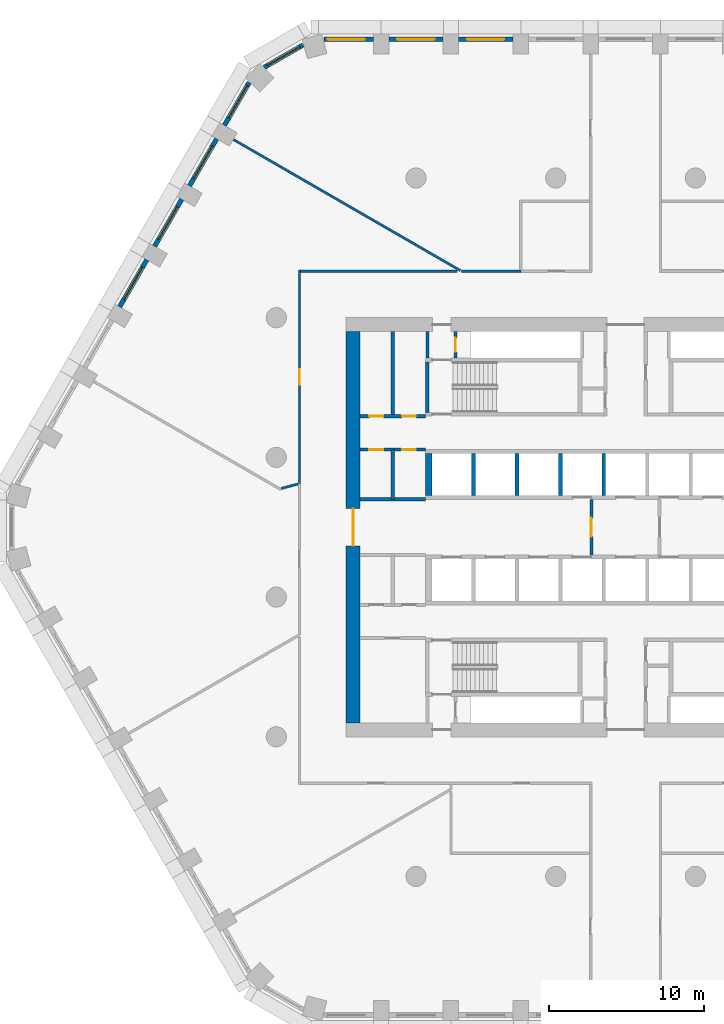
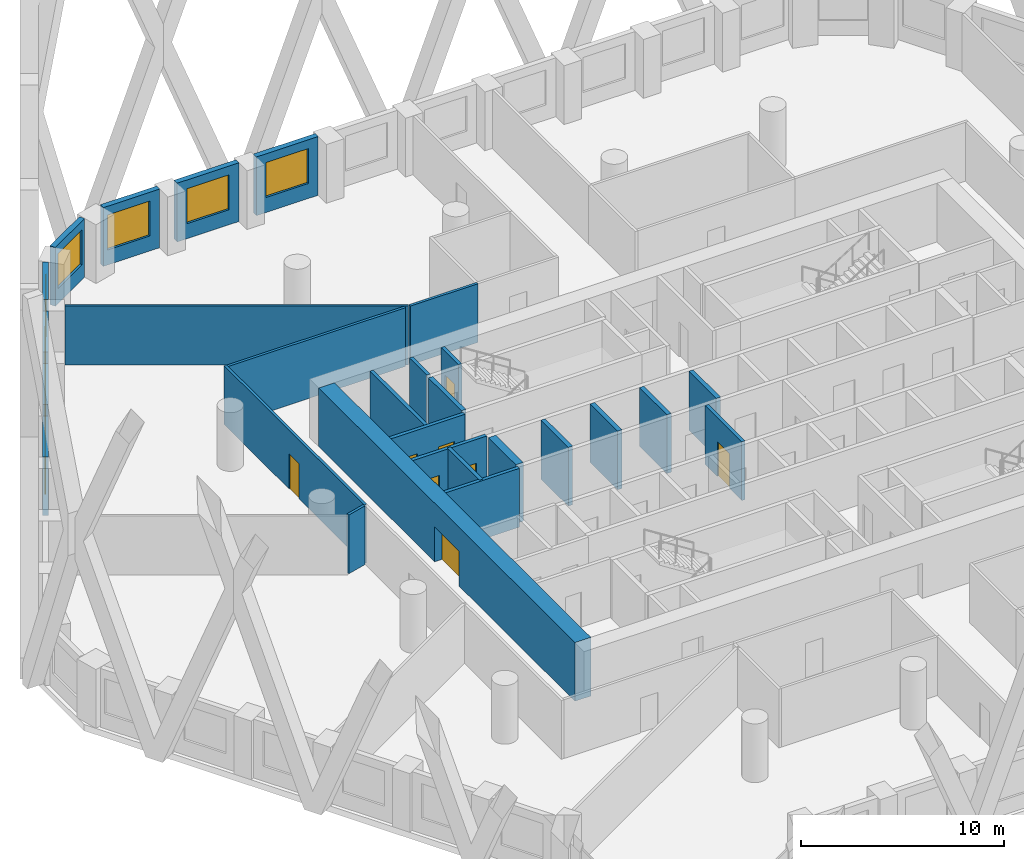
# One storey, part 5 of 18: 28 walls, 8 doors, 8 windows, 16 openings.
"""IFC4 building model written with IfcOpenShell, lengths in metres."""

from ifc_helpers import new_model, si_unit, direction, frame, frame_2d, origin, place, context, subcontext, project, spatial, polyline, rectangle, outline, extrude, material, layer, layer_set, type_object, element, fill, save


model = new_model("IFC4")

# Units and contexts
model_context = context("Model", 3, precision=1e-05, world=origin(), true_north=direction((0.0, 1.0)))
body_context = subcontext(model_context, "Body", "Model", "MODEL_VIEW")
ifc_project = project(units=[si_unit("LENGTHUNIT", "METRE"), si_unit("AREAUNIT", "SQUARE_METRE"), si_unit("VOLUMEUNIT", "CUBIC_METRE"), si_unit("PLANEANGLEUNIT", "RADIAN"), si_unit("MASSUNIT", "GRAM", prefix="KILO")], contexts=[model_context])

# Site, building, storey
site_placement = place(None, origin())
site = spatial("IfcSite", under=ifc_project, at=site_placement, CompositionType="ELEMENT")
building_placement = place(site_placement, origin())
building = spatial("IfcBuilding", under=site, at=building_placement, Name="Dhurran Vertical Campus", CompositionType="ELEMENT")
storey_placement = place(building_placement, frame((0.0, 0.0, 81.300048828125)))
storey = spatial("IfcBuildingStorey", under=building, at=storey_placement, Name="L19", CompositionType="ELEMENT", Elevation=81.300048828125)

# Wall, opening, window
ifc_material_1 = material(Name="Precast concrete C50/60", Category="concrete")
ifc_layer_1 = layer(ifc_material_1, 0.300048828125)
ifc_layer_set_1 = layer_set([ifc_layer_1], Name="Precast concrete C50/60")
wall_type_1 = type_object("IfcWallType", Name="Precast spandrel wall 300", PredefinedType="SOLIDWALL", material=ifc_layer_set_1)
wall_1_placement = place(storey_placement, frame((-7.25048828125, 31.4296875, 0.0), z_axis=(0.0, 0.0, 1.0), x_axis=(-1.0, 0.0, 0.0)))
wall_1 = element("IfcWall", 1, at=wall_1_placement, inside=storey, type_object=wall_type_1, Name="EW1 L19.32", PredefinedType="SOLIDWALL", context=body_context, shape_type="SweptSolid", body=[
    extrude(rectangle(XDim=3.4990234375, YDim=0.300048828125, at=frame_2d((1.74951171875, 0.0))), origin(), (0.0, 0.0, 1.0), 3.52490234375),
])
opening_1_placement = place(wall_1_placement, frame((0.549560546875, 0.0, 0.89990234375)))
opening_1 = element("IfcOpeningElement", 2, at=opening_1_placement, cuts=wall_1, Name="Opening WT1", PredefinedType="OPENING", context=body_context, shape_type="SweptSolid", body=[
    extrude(rectangle(XDim=2.39990234375, YDim=2.10009765625, at=frame_2d((1.199951171875, 1.050048828125))), frame((0.0, 0.159912109375, 0.0), z_axis=(0.0, -1.0, 0.0), x_axis=(1.0, 0.0, 0.0)), (0.0, 0.0, 1.0), 0.320068359375),
])
ifc_material_2 = material(Name="Aluminium frame with solar-control glass", Category="aluminium")
window_type = type_object("IfcWindowType", Name="Punched window 2400 x 2100", PartitioningType="SINGLE_PANEL", PredefinedType="WINDOW", material=ifc_material_2)
window_1_placement = place(opening_1_placement, origin())
window_1 = element("IfcWindow", 3, at=window_1_placement, inside=storey, type_object=window_type, Name="WT1 L19.32", OverallHeight=2.10009765625, OverallWidth=2.39990234375, PartitioningType="SINGLE_PANEL", PredefinedType="WINDOW", context=body_context, shape_type="SweptSolid", body=[
    extrude(rectangle(XDim=2.39990234375, YDim=2.10009765625, at=frame_2d((1.199951171875, 1.050048828125))), frame((0.0, 0.030029296875, 0.0), z_axis=(0.0, -1.0, 0.0), x_axis=(1.0, 0.0, 0.0)), (0.0, 0.0, 1.0), 0.06005859375),
])
fill(opening_1, window_1)

wall_2_placement = place(storey_placement, frame((-11.75048828125, 31.4296875, 0.0), z_axis=(0.0, 0.0, 1.0), x_axis=(-1.0, 0.0, 0.0)))
wall_2 = element("IfcWall", 4, at=wall_2_placement, inside=storey, type_object=wall_type_1, Name="EW1 L19.33", PredefinedType="SOLIDWALL", context=body_context, shape_type="SweptSolid", body=[
    extrude(rectangle(XDim=3.4990234375, YDim=0.300048828125, at=frame_2d((1.74951171875, 0.0))), origin(), (0.0, 0.0, 1.0), 3.52490234375),
])
opening_2_placement = place(wall_2_placement, frame((0.549560546875, 0.0, 0.89990234375)))
opening_2 = element("IfcOpeningElement", 5, at=opening_2_placement, cuts=wall_2, Name="Opening WT1", PredefinedType="OPENING", context=body_context, shape_type="SweptSolid", body=[
    extrude(rectangle(XDim=2.39990234375, YDim=2.10009765625, at=frame_2d((1.199951171875, 1.050048828125))), frame((0.0, 0.159912109375, 0.0), z_axis=(0.0, -1.0, 0.0), x_axis=(1.0, 0.0, 0.0)), (0.0, 0.0, 1.0), 0.320068359375),
])
window_2_placement = place(opening_2_placement, origin())
window_2 = element("IfcWindow", 6, at=window_2_placement, inside=storey, type_object=window_type, Name="WT1 L19.33", OverallHeight=2.10009765625, OverallWidth=2.39990234375, PartitioningType="SINGLE_PANEL", PredefinedType="WINDOW", context=body_context, shape_type="SweptSolid", body=[
    extrude(rectangle(XDim=2.39990234375, YDim=2.10009765625, at=frame_2d((1.199951171875, 1.050048828125))), frame((0.0, 0.030029296875, 0.0), z_axis=(0.0, -1.0, 0.0), x_axis=(1.0, 0.0, 0.0)), (0.0, 0.0, 1.0), 0.06005859375),
])
fill(opening_2, window_2)

wall_3_placement = place(storey_placement, frame((-16.25048828125, 31.4296875, 0.0), z_axis=(0.0, 0.0, 1.0), x_axis=(-1.0, 0.0, 0.0)))
wall_3 = element("IfcWall", 7, at=wall_3_placement, inside=storey, type_object=wall_type_1, Name="EW1 L19.34", PredefinedType="SOLIDWALL", context=body_context, shape_type="SweptSolid", body=[
    extrude(rectangle(XDim=3.1923828125, YDim=0.300048828125, at=frame_2d((1.59619140625, 0.0))), origin(), (0.0, 0.0, 1.0), 3.52490234375),
])
opening_3_placement = place(wall_3_placement, frame((0.549560546875, 0.0, 0.89990234375)))
opening_3 = element("IfcOpeningElement", 8, at=opening_3_placement, cuts=wall_3, Name="Opening WT1", PredefinedType="OPENING", context=body_context, shape_type="SweptSolid", body=[
    extrude(rectangle(XDim=2.39990234375, YDim=2.10009765625, at=frame_2d((1.199951171875, 1.050048828125))), frame((0.0, 0.159912109375, 0.0), z_axis=(0.0, -1.0, 0.0), x_axis=(1.0, 0.0, 0.0)), (0.0, 0.0, 1.0), 0.320068359375),
])
window_3_placement = place(opening_3_placement, origin())
window_3 = element("IfcWindow", 9, at=window_3_placement, inside=storey, type_object=window_type, Name="WT1 L19.34", OverallHeight=2.10009765625, OverallWidth=2.39990234375, PartitioningType="SINGLE_PANEL", PredefinedType="WINDOW", context=body_context, shape_type="SweptSolid", body=[
    extrude(rectangle(XDim=2.39990234375, YDim=2.10009765625, at=frame_2d((1.199951171875, 1.050048828125))), frame((0.0, 0.030029296875, 0.0), z_axis=(0.0, -1.0, 0.0), x_axis=(1.0, 0.0, 0.0)), (0.0, 0.0, 1.0), 0.06005859375),
])
fill(opening_3, window_3)

wall_4_placement = place(storey_placement, frame((-20.774169921875, 31.072998046875, 0.0), z_axis=(0.0, 0.0, 1.0), x_axis=(-0.866053149362, -0.49995194017, 0.0)))
wall_4 = element("IfcWall", 10, at=wall_4_placement, inside=storey, type_object=wall_type_1, Name="EW1 L19.35", PredefinedType="SOLIDWALL", context=body_context, shape_type="SweptSolid", body=[
    extrude(rectangle(XDim=2.885498046875, YDim=0.300048828125, at=frame_2d((1.44287109375, 0.0))), origin(), (0.0, 0.0, 1.0), 3.52490234375),
])
opening_4_placement = place(wall_4_placement, frame((0.242919921875, 0.0, 0.89990234375)))
opening_4 = element("IfcOpeningElement", 11, at=opening_4_placement, cuts=wall_4, Name="Opening WT1", PredefinedType="OPENING", context=body_context, shape_type="SweptSolid", body=[
    extrude(rectangle(XDim=2.39990234375, YDim=2.10009765625, at=frame_2d((1.199951171875, 1.050048828125))), frame((0.0, 0.159912109375, 0.0), z_axis=(0.0, -1.0, 0.0), x_axis=(1.0, 0.0, 0.0)), (0.0, 0.0, 1.0), 0.320068359375),
])
window_4_placement = place(opening_4_placement, origin())
window_4 = element("IfcWindow", 12, at=window_4_placement, inside=storey, type_object=window_type, Name="WT1 L19.35", OverallHeight=2.10009765625, OverallWidth=2.39990234375, PartitioningType="SINGLE_PANEL", PredefinedType="WINDOW", context=body_context, shape_type="SweptSolid", body=[
    extrude(rectangle(XDim=2.39990234375, YDim=2.10009765625, at=frame_2d((1.199951171875, 1.050048828125))), frame((0.0, 0.030029296875, 0.0), z_axis=(0.0, -1.0, 0.0), x_axis=(1.0, 0.0, 0.0)), (0.0, 0.0, 1.0), 0.06005859375),
])
fill(opening_4, window_4)

wall_5_placement = place(storey_placement, frame((-24.24755859375, 28.65576171875, 0.0), z_axis=(0.0, 0.0, 1.0), x_axis=(-0.500004907028, -0.866022570692, 0.0)))
wall_5 = element("IfcWall", 13, at=wall_5_placement, inside=storey, type_object=wall_type_1, Name="EW1 L19.36", PredefinedType="SOLIDWALL", context=body_context, shape_type="SweptSolid", body=[
    extrude(rectangle(XDim=3.1923828125, YDim=0.300048828125, at=frame_2d((1.59619140625, 0.0))), origin(), (0.0, 0.0, 1.0), 3.52490234375),
])
opening_5_placement = place(wall_5_placement, frame((0.242919921875, 0.0, 0.89990234375)))
opening_5 = element("IfcOpeningElement", 14, at=opening_5_placement, cuts=wall_5, Name="Opening WT1", PredefinedType="OPENING", context=body_context, shape_type="SweptSolid", body=[
    extrude(rectangle(XDim=2.39990234375, YDim=2.10009765625, at=frame_2d((1.199951171875, 1.050048828125))), frame((0.0, 0.159912109375, 0.0), z_axis=(0.0, -1.0, 0.0), x_axis=(1.0, 0.0, 0.0)), (0.0, 0.0, 1.0), 0.320068359375),
])
window_5_placement = place(opening_5_placement, origin())
window_5 = element("IfcWindow", 15, at=window_5_placement, inside=storey, type_object=window_type, Name="WT1 L19.36", OverallHeight=2.10009765625, OverallWidth=2.39990234375, PartitioningType="SINGLE_PANEL", PredefinedType="WINDOW", context=body_context, shape_type="SweptSolid", body=[
    extrude(rectangle(XDim=2.39990234375, YDim=2.10009765625, at=frame_2d((1.199951171875, 1.050048828125))), frame((0.0, 0.030029296875, 0.0), z_axis=(0.0, -1.0, 0.0), x_axis=(1.0, 0.0, 0.0)), (0.0, 0.0, 1.0), 0.06005859375),
])
fill(opening_5, window_5)

wall_6_placement = place(storey_placement, frame((-26.34423828125, 25.024169921875, 0.0), z_axis=(0.0, 0.0, 1.0), x_axis=(-0.499996256241, -0.866027565234, 0.0)))
wall_6 = element("IfcWall", 16, at=wall_6_placement, inside=storey, type_object=wall_type_1, Name="EW1 L19.37", PredefinedType="SOLIDWALL", context=body_context, shape_type="SweptSolid", body=[
    extrude(rectangle(XDim=3.4990234375, YDim=0.300048828125, at=frame_2d((1.74951171875, 0.0))), origin(), (0.0, 0.0, 1.0), 3.52490234375),
])
opening_6_placement = place(wall_6_placement, frame((0.549560546875, 0.0, 0.89990234375)))
opening_6 = element("IfcOpeningElement", 17, at=opening_6_placement, cuts=wall_6, Name="Opening WT1", PredefinedType="OPENING", context=body_context, shape_type="SweptSolid", body=[
    extrude(rectangle(XDim=2.39990234375, YDim=2.10009765625, at=frame_2d((1.199951171875, 1.050048828125))), frame((0.0, 0.159912109375, 0.0), z_axis=(0.0, -1.0, 0.0), x_axis=(1.0, 0.0, 0.0)), (0.0, 0.0, 1.0), 0.320068359375),
])
window_6_placement = place(opening_6_placement, origin())
window_6 = element("IfcWindow", 18, at=window_6_placement, inside=storey, type_object=window_type, Name="WT1 L19.37", OverallHeight=2.10009765625, OverallWidth=2.39990234375, PartitioningType="SINGLE_PANEL", PredefinedType="WINDOW", context=body_context, shape_type="SweptSolid", body=[
    extrude(rectangle(XDim=2.39990234375, YDim=2.10009765625, at=frame_2d((1.199951171875, 1.050048828125))), frame((0.0, 0.030029296875, 0.0), z_axis=(0.0, -1.0, 0.0), x_axis=(1.0, 0.0, 0.0)), (0.0, 0.0, 1.0), 0.06005859375),
])
fill(opening_6, window_6)

wall_7_placement = place(storey_placement, frame((-28.59423828125, 21.127197265625, 0.0), z_axis=(0.0, 0.0, 1.0), x_axis=(-0.499996256241, -0.866027565234, 0.0)))
wall_7 = element("IfcWall", 19, at=wall_7_placement, inside=storey, type_object=wall_type_1, Name="EW1 L19.38", PredefinedType="SOLIDWALL", context=body_context, shape_type="SweptSolid", body=[
    extrude(rectangle(XDim=3.4990234375, YDim=0.300048828125, at=frame_2d((1.74951171875, 0.0))), origin(), (0.0, 0.0, 1.0), 3.52490234375),
])
opening_7_placement = place(wall_7_placement, frame((0.549560546875, 0.0, 0.89990234375)))
opening_7 = element("IfcOpeningElement", 20, at=opening_7_placement, cuts=wall_7, Name="Opening WT1", PredefinedType="OPENING", context=body_context, shape_type="SweptSolid", body=[
    extrude(rectangle(XDim=2.39990234375, YDim=2.10009765625, at=frame_2d((1.199951171875, 1.050048828125))), frame((0.0, 0.159912109375, 0.0), z_axis=(0.0, -1.0, 0.0), x_axis=(1.0, 0.0, 0.0)), (0.0, 0.0, 1.0), 0.320068359375),
])
window_7_placement = place(opening_7_placement, origin())
window_7 = element("IfcWindow", 21, at=window_7_placement, inside=storey, type_object=window_type, Name="WT1 L19.38", OverallHeight=2.10009765625, OverallWidth=2.39990234375, PartitioningType="SINGLE_PANEL", PredefinedType="WINDOW", context=body_context, shape_type="SweptSolid", body=[
    extrude(rectangle(XDim=2.39990234375, YDim=2.10009765625, at=frame_2d((1.199951171875, 1.050048828125))), frame((0.0, 0.030029296875, 0.0), z_axis=(0.0, -1.0, 0.0), x_axis=(1.0, 0.0, 0.0)), (0.0, 0.0, 1.0), 0.06005859375),
])
fill(opening_7, window_7)

wall_8_placement = place(storey_placement, frame((-30.84423828125, 17.22998046875, 0.0), z_axis=(0.0, 0.0, 1.0), x_axis=(-0.499996256241, -0.866027565234, 0.0)))
wall_8 = element("IfcWall", 22, at=wall_8_placement, inside=storey, type_object=wall_type_1, Name="EW1 L19.39", PredefinedType="SOLIDWALL", context=body_context, shape_type="SweptSolid", body=[
    extrude(rectangle(XDim=3.4990234375, YDim=0.300048828125, at=frame_2d((1.74951171875, 0.0))), origin(), (0.0, 0.0, 1.0), 3.52490234375),
])
opening_8_placement = place(wall_8_placement, frame((0.549560546875, 0.0, 0.89990234375)))
opening_8 = element("IfcOpeningElement", 23, at=opening_8_placement, cuts=wall_8, Name="Opening WT1", PredefinedType="OPENING", context=body_context, shape_type="SweptSolid", body=[
    extrude(rectangle(XDim=2.39990234375, YDim=2.10009765625, at=frame_2d((1.199951171875, 1.050048828125))), frame((0.0, 0.159912109375, 0.0), z_axis=(0.0, -1.0, 0.0), x_axis=(1.0, 0.0, 0.0)), (0.0, 0.0, 1.0), 0.320068359375),
])
window_8_placement = place(opening_8_placement, origin())
window_8 = element("IfcWindow", 24, at=window_8_placement, inside=storey, type_object=window_type, Name="WT1 L19.39", OverallHeight=2.10009765625, OverallWidth=2.39990234375, PartitioningType="SINGLE_PANEL", PredefinedType="WINDOW", context=body_context, shape_type="SweptSolid", body=[
    extrude(rectangle(XDim=2.39990234375, YDim=2.10009765625, at=frame_2d((1.199951171875, 1.050048828125))), frame((0.0, 0.030029296875, 0.0), z_axis=(0.0, -1.0, 0.0), x_axis=(1.0, 0.0, 0.0)), (0.0, 0.0, 1.0), 0.06005859375),
])
fill(opening_8, window_8)

# Wall, opening, door
ifc_material_3 = material(Name="Concrete C60/75", Category="concrete")
ifc_layer_2 = layer(ifc_material_3, 0.89990234375)
ifc_layer_set_2 = layer_set([ifc_layer_2], Name="Concrete C60/75")
wall_type_2 = type_object("IfcWallType", Name="co-CORE-WALL-C0-900", PredefinedType="SHEAR", material=ifc_layer_set_2)
wall_9_placement = place(storey_placement, frame((-17.550048828125, -12.60009765625, 0.0), z_axis=(0.0, 0.0, 1.0), x_axis=(0.0, 1.0, 0.0)))
wall_9 = element("IfcWall", 25, at=wall_9_placement, inside=storey, type_object=wall_type_2, Name="Core wall W L19", PredefinedType="SHEAR", context=body_context, shape_type="SweptSolid", body=[
    extrude(rectangle(XDim=25.2001953125, YDim=0.89990234375, at=frame_2d((12.60009765625, 0.0))), origin(), (0.0, 0.0, 1.0), 3.52490234375),
])
opening_9_placement = place(wall_9_placement, frame((11.39990234375, 0.0, 0.0)))
opening_9 = element("IfcOpeningElement", 26, at=opening_9_placement, cuts=wall_9, Name="Opening CL1", PredefinedType="OPENING", context=body_context, shape_type="SweptSolid", body=[
    extrude(rectangle(XDim=2.39990234375, YDim=2.10009765625, at=frame_2d((1.199951171875, 1.050048828125))), frame((0.0, 0.4599609375, 0.0), z_axis=(0.0, -1.0, 0.0), x_axis=(1.0, 0.0, 0.0)), (0.0, 0.0, 1.0), 0.919921875),
])
ifc_material_4 = material(Name="Fire-rated glazed door set")
door_type_1 = type_object("IfcDoorType", Name="co-D-LOBBY 2400x2100", OperationType="DOUBLE_DOOR_DOUBLE_SWING", PredefinedType="DOOR", material=ifc_material_4)
door_1_placement = place(opening_9_placement, origin())
door_1 = element("IfcDoor", 27, at=door_1_placement, inside=storey, type_object=door_type_1, Name="Lift lobby door W L19", OperationType="DOUBLE_DOOR_DOUBLE_SWING", OverallHeight=2.10009765625, OverallWidth=2.39990234375, PredefinedType="DOOR", context=body_context, shape_type="SweptSolid", body=[
    extrude(rectangle(XDim=2.39990234375, YDim=2.10009765625, at=frame_2d((1.199951171875, 1.050048828125))), frame((0.0, 0.02490234375, 0.0), z_axis=(0.0, -1.0, 0.0), x_axis=(1.0, 0.0, 0.0)), (0.0, 0.0, 1.0), 0.050048828125),
])
fill(opening_9, door_1)

ifc_material_5 = material(Name="Fire-rated masonry blockwork", Category="masonry")
ifc_layer_3 = layer(ifc_material_5, 0.199951171875)
ifc_layer_set_3 = layer_set([ifc_layer_3], Name="Fire-rated masonry blockwork")
wall_type_3 = type_object("IfcWallType", Name="co-FIRE-PARTITION-200", PredefinedType="PARTITIONING", material=ifc_layer_set_3)
wall_10_placement = place(storey_placement, frame((-2.199951171875, -1.800048828125, 0.0), z_axis=(0.0, 0.0, 1.0), x_axis=(0.0, 1.0, 0.0)))
wall_10 = element("IfcWall", 28, at=wall_10_placement, inside=storey, type_object=wall_type_3, Name="Firefighting lobby wall W L19", PredefinedType="PARTITIONING", context=body_context, shape_type="SweptSolid", body=[
    extrude(rectangle(XDim=3.60009765625, YDim=0.199951171875, at=frame_2d((1.800048828125, 0.0))), origin(), (0.0, 0.0, 1.0), 3.52490234375),
])
opening_10_placement = place(wall_10_placement, frame((1.199951171875, 0.0, 0.0)))
opening_10 = element("IfcOpeningElement", 29, at=opening_10_placement, cuts=wall_10, Name="Opening FL1", PredefinedType="OPENING", context=body_context, shape_type="SweptSolid", body=[
    extrude(rectangle(XDim=1.199951171875, YDim=2.10009765625, at=frame_2d((0.60009765625, 1.050048828125))), frame((0.0, 0.10986328125, 0.0), z_axis=(0.0, -1.0, 0.0), x_axis=(1.0, 0.0, 0.0)), (0.0, 0.0, 1.0), 0.219970703125),
])
ifc_material_6 = material(Name="Fire-rated steel door set", Category="steel")
door_type_2 = type_object("IfcDoorType", Name="co-D-FFLOBBY 1200x2100", OperationType="SINGLE_SWING_LEFT", PredefinedType="DOOR", material=ifc_material_6)
door_2_placement = place(opening_10_placement, origin())
door_2 = element("IfcDoor", 30, at=door_2_placement, inside=storey, type_object=door_type_2, Name="Firefighting lobby door W L19", OperationType="SINGLE_SWING_LEFT", OverallHeight=2.10009765625, OverallWidth=1.199951171875, PredefinedType="DOOR", context=body_context, shape_type="SweptSolid", body=[
    extrude(rectangle(XDim=1.199951171875, YDim=2.10009765625, at=frame_2d((0.60009765625, 1.050048828125))), frame((0.0, 0.02490234375, 0.0), z_axis=(0.0, -1.0, 0.0), x_axis=(1.0, 0.0, 0.0)), (0.0, 0.0, 1.0), 0.050048828125),
])
fill(opening_10, door_2)

# Wall
wall_11_placement = place(storey_placement, frame((-12.75, 10.89990234375, 0.0), z_axis=(0.0, 0.0, 1.0), x_axis=(0.0, 1.0, 0.0)))
element("IfcWall", 31, at=wall_11_placement, inside=storey, type_object=wall_type_3, Name="Core partition pass-ST1-o L19", PredefinedType="PARTITIONING", context=body_context, shape_type="SweptSolid", body=[
    extrude(rectangle(XDim=1.7001953125, YDim=0.199951171875, at=frame_2d((0.85009765625, 0.0))), origin(), (0.0, 0.0, 1.0), 3.52490234375),
])

# Wall, opening, door
wall_12_placement = place(storey_placement, frame((-10.949951171875, 10.89990234375, 0.0), z_axis=(0.0, 0.0, 1.0), x_axis=(0.0, 1.0, 0.0)))
wall_12 = element("IfcWall", 32, at=wall_12_placement, inside=storey, type_object=wall_type_3, Name="Core partition pass-ST1-i L19", PredefinedType="PARTITIONING", context=body_context, shape_type="SweptSolid", body=[
    extrude(rectangle(XDim=1.7001953125, YDim=0.199951171875, at=frame_2d((0.85009765625, 0.0))), origin(), (0.0, 0.0, 1.0), 3.52490234375),
])
opening_11_placement = place(wall_12_placement, frame((0.39990234375, 0.0, 0.0)))
opening_11 = element("IfcOpeningElement", 33, at=opening_11_placement, cuts=wall_12, Name="Opening T05-C8", PredefinedType="OPENING", context=body_context, shape_type="SweptSolid", body=[
    extrude(rectangle(XDim=0.89990234375, YDim=2.10009765625, at=frame_2d((0.449951171875, 1.050048828125))), frame((0.0, 0.10986328125, 0.0), z_axis=(0.0, -1.0, 0.0), x_axis=(1.0, 0.0, 0.0)), (0.0, 0.0, 1.0), 0.219970703125),
])
ifc_material_7 = material(Name="Fire-rated timber door set", Category="wood")
door_type_3 = type_object("IfcDoorType", Name="co-D-ROOM 900x2100", OperationType="SINGLE_SWING_LEFT", PredefinedType="DOOR", material=ifc_material_7)
door_3_placement = place(opening_11_placement, origin())
door_3 = element("IfcDoor", 34, at=door_3_placement, inside=storey, type_object=door_type_3, Name="Riser room door L19", OperationType="SINGLE_SWING_LEFT", OverallHeight=2.10009765625, OverallWidth=0.89990234375, PredefinedType="DOOR", context=body_context, shape_type="SweptSolid", body=[
    extrude(rectangle(XDim=0.89990234375, YDim=2.10009765625, at=frame_2d((0.449951171875, 1.050048828125))), frame((0.0, 0.02490234375, 0.0), z_axis=(0.0, -1.0, 0.0), x_axis=(1.0, 0.0, 0.0)), (0.0, 0.0, 1.0), 0.050048828125),
])
fill(opening_11, door_3)

# Wall
wall_13_placement = place(storey_placement, frame((-15.0, 7.14990234375, 0.0), z_axis=(0.0, 0.0, 1.0), x_axis=(0.0, 1.0, 0.0)))
element("IfcWall", 35, at=wall_13_placement, inside=storey, type_object=wall_type_3, Name="Core partition en-NW-cut0 L19", PredefinedType="PARTITIONING", context=body_context, shape_type="SweptSolid", body=[
    extrude(rectangle(XDim=5.4501953125, YDim=0.199951171875, at=frame_2d((2.72509765625, 0.0))), origin(), (0.0, 0.0, 1.0), 3.52490234375),
])

# Wall, openings, doors
wall_14_placement = place(storey_placement, frame((-17.10009765625, 7.14990234375, 0.0), z_axis=(0.0, 0.0, 1.0), x_axis=(1.0, 0.0, 0.0)))
wall_14 = element("IfcWall", 36, at=wall_14_placement, inside=storey, type_object=wall_type_3, Name="Core partition en-NW-w L19", PredefinedType="PARTITIONING", context=body_context, shape_type="SweptSolid", body=[
    extrude(rectangle(XDim=4.2001953125, YDim=0.199951171875, at=frame_2d((2.10009765625, 0.0))), origin(), (0.0, 0.0, 1.0), 3.52490234375),
])
opening_12_placement = place(wall_14_placement, frame((0.60009765625, 0.0, 0.0)))
opening_12 = element("IfcOpeningElement", 37, at=opening_12_placement, cuts=wall_14, Name="Opening T05-C12", PredefinedType="OPENING", context=body_context, shape_type="SweptSolid", body=[
    extrude(rectangle(XDim=0.89990234375, YDim=2.10009765625, at=frame_2d((0.449951171875, 1.050048828125))), frame((0.0, 0.10986328125, 0.0), z_axis=(0.0, -1.0, 0.0), x_axis=(1.0, 0.0, 0.0)), (0.0, 0.0, 1.0), 0.219970703125),
])
opening_13_placement = place(wall_14_placement, frame((2.699951171875, 0.0, 0.0)))
opening_13 = element("IfcOpeningElement", 38, at=opening_13_placement, cuts=wall_14, Name="Opening T05-C13", PredefinedType="OPENING", context=body_context, shape_type="SweptSolid", body=[
    extrude(rectangle(XDim=0.89990234375, YDim=2.10009765625, at=frame_2d((0.449951171875, 1.050048828125))), frame((0.0, 0.10986328125, 0.0), z_axis=(0.0, -1.0, 0.0), x_axis=(1.0, 0.0, 0.0)), (0.0, 0.0, 1.0), 0.219970703125),
])
door_4_placement = place(opening_12_placement, origin())
door_4 = element("IfcDoor", 39, at=door_4_placement, inside=storey, type_object=door_type_3, Name="Electrical riser door L19", OperationType="SINGLE_SWING_LEFT", OverallHeight=2.10009765625, OverallWidth=0.89990234375, PredefinedType="DOOR", context=body_context, shape_type="SweptSolid", body=[
    extrude(rectangle(XDim=0.89990234375, YDim=2.10009765625, at=frame_2d((0.449951171875, 1.050048828125))), frame((0.0, 0.02490234375, 0.0), z_axis=(0.0, -1.0, 0.0), x_axis=(1.0, 0.0, 0.0)), (0.0, 0.0, 1.0), 0.050048828125),
])
fill(opening_12, door_4)
door_5_placement = place(opening_13_placement, origin())
door_5 = element("IfcDoor", 40, at=door_5_placement, inside=storey, type_object=door_type_3, Name="Store door L19", OperationType="SINGLE_SWING_LEFT", OverallHeight=2.10009765625, OverallWidth=0.89990234375, PredefinedType="DOOR", context=body_context, shape_type="SweptSolid", body=[
    extrude(rectangle(XDim=0.89990234375, YDim=2.10009765625, at=frame_2d((0.449951171875, 1.050048828125))), frame((0.0, 0.02490234375, 0.0), z_axis=(0.0, -1.0, 0.0), x_axis=(1.0, 0.0, 0.0)), (0.0, 0.0, 1.0), 0.050048828125),
])
fill(opening_13, door_5)

# Wall
wall_15_placement = place(storey_placement, frame((-15.0, 1.800048828125, 0.0), z_axis=(0.0, 0.0, 1.0), x_axis=(0.0, 1.0, 0.0)))
element("IfcWall", 41, at=wall_15_placement, inside=storey, type_object=wall_type_3, Name="Core partition es-NW-cut0 L19", PredefinedType="PARTITIONING", context=body_context, shape_type="SweptSolid", body=[
    extrude(rectangle(XDim=3.199951171875, YDim=0.199951171875, at=frame_2d((1.60009765625, 0.0))), origin(), (0.0, 0.0, 1.0), 3.52490234375),
])

# Wall, openings, doors
wall_16_placement = place(storey_placement, frame((-17.10009765625, 5.0, 0.0), z_axis=(0.0, 0.0, 1.0), x_axis=(1.0, 0.0, 0.0)))
wall_16 = element("IfcWall", 42, at=wall_16_placement, inside=storey, type_object=wall_type_3, Name="Core partition es-NW-w L19", PredefinedType="PARTITIONING", context=body_context, shape_type="SweptSolid", body=[
    extrude(rectangle(XDim=4.2001953125, YDim=0.199951171875, at=frame_2d((2.10009765625, 0.0))), origin(), (0.0, 0.0, 1.0), 3.52490234375),
])
opening_14_placement = place(wall_16_placement, frame((0.60009765625, 0.0, 0.0)))
opening_14 = element("IfcOpeningElement", 43, at=opening_14_placement, cuts=wall_16, Name="Opening T05-C14", PredefinedType="OPENING", context=body_context, shape_type="SweptSolid", body=[
    extrude(rectangle(XDim=0.89990234375, YDim=2.10009765625, at=frame_2d((0.449951171875, 1.050048828125))), frame((0.0, 0.10986328125, 0.0), z_axis=(0.0, -1.0, 0.0), x_axis=(1.0, 0.0, 0.0)), (0.0, 0.0, 1.0), 0.219970703125),
])
opening_15_placement = place(wall_16_placement, frame((2.699951171875, 0.0, 0.0)))
opening_15 = element("IfcOpeningElement", 44, at=opening_15_placement, cuts=wall_16, Name="Opening T05-C15", PredefinedType="OPENING", context=body_context, shape_type="SweptSolid", body=[
    extrude(rectangle(XDim=0.89990234375, YDim=2.10009765625, at=frame_2d((0.449951171875, 1.050048828125))), frame((0.0, 0.10986328125, 0.0), z_axis=(0.0, -1.0, 0.0), x_axis=(1.0, 0.0, 0.0)), (0.0, 0.0, 1.0), 0.219970703125),
])
door_6_placement = place(opening_14_placement, origin())
door_6 = element("IfcDoor", 45, at=door_6_placement, inside=storey, type_object=door_type_3, Name="Plant room door L19", OperationType="SINGLE_SWING_LEFT", OverallHeight=2.10009765625, OverallWidth=0.89990234375, PredefinedType="DOOR", context=body_context, shape_type="SweptSolid", body=[
    extrude(rectangle(XDim=0.89990234375, YDim=2.10009765625, at=frame_2d((0.449951171875, 1.050048828125))), frame((0.0, 0.02490234375, 0.0), z_axis=(0.0, -1.0, 0.0), x_axis=(1.0, 0.0, 0.0)), (0.0, 0.0, 1.0), 0.050048828125),
])
fill(opening_14, door_6)
door_7_placement = place(opening_15_placement, origin())
door_7 = element("IfcDoor", 46, at=door_7_placement, inside=storey, type_object=door_type_3, Name="Pantry door L19", OperationType="SINGLE_SWING_LEFT", OverallHeight=2.10009765625, OverallWidth=0.89990234375, PredefinedType="DOOR", context=body_context, shape_type="SweptSolid", body=[
    extrude(rectangle(XDim=0.89990234375, YDim=2.10009765625, at=frame_2d((0.449951171875, 1.050048828125))), frame((0.0, 0.02490234375, 0.0), z_axis=(0.0, -1.0, 0.0), x_axis=(1.0, 0.0, 0.0)), (0.0, 0.0, 1.0), 0.050048828125),
])
fill(opening_15, door_7)

# Walls
wall_17_placement = place(storey_placement, frame((-17.10009765625, 1.800048828125, 0.0), z_axis=(0.0, 0.0, 1.0), x_axis=(1.0, 0.0, 0.0)))
element("IfcWall", 47, at=wall_17_placement, inside=storey, type_object=wall_type_3, Name="Core partition es-NW-l L19", PredefinedType="PARTITIONING", context=body_context, shape_type="SweptSolid", body=[
    extrude(rectangle(XDim=4.2001953125, YDim=0.199951171875, at=frame_2d((2.10009765625, 0.0))), origin(), (0.0, 0.0, 1.0), 3.52490234375),
])
ifc_material_8 = material(Name="Concrete C50/60", Category="concrete")
ifc_layer_4 = layer(ifc_material_8, 0.25)
ifc_layer_set_4 = layer_set([ifc_layer_4], Name="Concrete C50/60")
wall_type_4 = type_object("IfcWallType", Name="co-SHAFT-MASS-250", PredefinedType="SHEAR", material=ifc_layer_set_4)
wall_18_placement = place(storey_placement, origin())
element("IfcWall", 48, at=wall_18_placement, inside=storey, type_object=wall_type_4, Name="Lift shaft wall N L19 2", PredefinedType="SHEAR", context=body_context, shape_type="SweptSolid", body=[
    extrude(outline(polyline([(-12.89990234375, 2.050048828125), (-12.47509765625, 2.050048828125), (-12.47509765625, 4.75), (-12.89990234375, 4.75), (-12.89990234375, 2.050048828125)])), origin(), (0.0, 0.0, 1.0), 3.52490234375),
])
wall_19_placement = place(storey_placement, origin())
element("IfcWall", 49, at=wall_19_placement, inside=storey, type_object=wall_type_4, Name="Lift shaft wall N L19 3", PredefinedType="SHEAR", context=body_context, shape_type="SweptSolid", body=[
    extrude(outline(polyline([(-9.925048828125, 2.050048828125), (-9.675048828125, 2.050048828125), (-9.675048828125, 4.75), (-9.925048828125, 4.75), (-9.925048828125, 2.050048828125)])), origin(), (0.0, 0.0, 1.0), 3.52490234375),
])
wall_20_placement = place(storey_placement, origin())
element("IfcWall", 50, at=wall_20_placement, inside=storey, type_object=wall_type_4, Name="Lift shaft wall N L19 4", PredefinedType="SHEAR", context=body_context, shape_type="SweptSolid", body=[
    extrude(outline(polyline([(-7.125, 2.050048828125), (-6.875, 2.050048828125), (-6.875, 4.75), (-7.125, 4.75), (-7.125, 2.050048828125)])), origin(), (0.0, 0.0, 1.0), 3.52490234375),
])
wall_21_placement = place(storey_placement, origin())
element("IfcWall", 51, at=wall_21_placement, inside=storey, type_object=wall_type_4, Name="Lift shaft wall N L19 5", PredefinedType="SHEAR", context=body_context, shape_type="SweptSolid", body=[
    extrude(outline(polyline([(-4.324951171875, 2.050048828125), (-4.074951171875, 2.050048828125), (-4.074951171875, 4.75), (-4.324951171875, 4.75), (-4.324951171875, 2.050048828125)])), origin(), (0.0, 0.0, 1.0), 3.52490234375),
])
wall_22_placement = place(storey_placement, origin())
element("IfcWall", 52, at=wall_22_placement, inside=storey, type_object=wall_type_4, Name="Lift shaft wall N L19 6", PredefinedType="SHEAR", context=body_context, shape_type="SweptSolid", body=[
    extrude(outline(polyline([(-1.52490234375, 2.050048828125), (-1.27490234375, 2.050048828125), (-1.27490234375, 4.75), (-1.52490234375, 4.75), (-1.52490234375, 2.050048828125)])), origin(), (0.0, 0.0, 1.0), 3.52490234375),
])
ifc_material_9 = material(Name="Concrete C40/50", Category="concrete")
ifc_layer_5 = layer(ifc_material_9, 0.25)
ifc_layer_set_5 = layer_set([ifc_layer_5], Name="Concrete C40/50")
wall_type_5 = type_object("IfcWallType", Name="co-STAIR-WALL-250", PredefinedType="SHEAR", material=ifc_layer_set_5)
wall_23_placement = place(storey_placement, frame((-12.77490234375, 7.39990234375, 0.0), z_axis=(0.0, 0.0, 1.0), x_axis=(0.0, 1.0, 0.0)))
element("IfcWall", 53, at=wall_23_placement, inside=storey, type_object=wall_type_5, Name="Stair ST1 enclosure wall L19", PredefinedType="SHEAR", context=body_context, shape_type="SweptSolid", body=[
    extrude(rectangle(XDim=3.25, YDim=0.25, at=frame_2d((1.625, 0.0))), origin(), (0.0, 0.0, 1.0), 3.52490234375),
])

# Wall, opening, door
ifc_material_10 = material(Name="Gypsum board corridor wall on steel studs", Category="steel")
ifc_layer_6 = layer(ifc_material_10, 0.14990234375)
ifc_layer_set_6 = layer_set([ifc_layer_6], Name="Gypsum board corridor wall on steel studs")
wall_type_6 = type_object("IfcWallType", Name="fl-CW-150 corridor wall", PredefinedType="PARTITIONING", material=ifc_layer_set_6)
wall_24_placement = place(storey_placement, frame((-21.0, 16.574951171875, 0.0), z_axis=(0.0, 0.0, 1.0), x_axis=(0.0, -1.0, 0.0)))
wall_24 = element("IfcWall", 54, at=wall_24_placement, inside=storey, type_object=wall_type_6, Name="Partition 19-09", PredefinedType="PARTITIONING", context=body_context, shape_type="SweptSolid", body=[
    extrude(rectangle(XDim=13.761962890625, YDim=0.14990234375, at=frame_2d((6.880859375, 0.0))), origin(), (0.0, 0.0, 1.0), 3.52490234375),
])
opening_16_placement = place(wall_24_placement, frame((6.381103515625, 0.0, 0.0)))
opening_16 = element("IfcOpeningElement", 55, at=opening_16_placement, cuts=wall_24, Name="Opening T05.02", PredefinedType="OPENING", context=body_context, shape_type="SweptSolid", body=[
    extrude(rectangle(XDim=1.0, YDim=2.10009765625, at=frame_2d((0.5, 1.050048828125))), frame((0.0, 0.0849609375, 0.0), z_axis=(0.0, -1.0, 0.0), x_axis=(1.0, 0.0, 0.0)), (0.0, 0.0, 1.0), 0.169921875),
])
ifc_material_11 = material(Name="Solid-core timber door set, fire-rated", Category="wood")
door_type_4 = type_object("IfcDoorType", Name="fl-D-1000x2100", OperationType="SINGLE_SWING_LEFT", PredefinedType="DOOR", material=ifc_material_11)
door_8_placement = place(opening_16_placement, origin())
door_8 = element("IfcDoor", 56, at=door_8_placement, inside=storey, type_object=door_type_4, Name="Door 19.02", OperationType="SINGLE_SWING_RIGHT", OverallHeight=2.10009765625, OverallWidth=1.0, PredefinedType="DOOR", context=body_context, shape_type="SweptSolid", body=[
    extrude(rectangle(XDim=1.0, YDim=2.10009765625, at=frame_2d((0.5, 1.050048828125))), frame((0.0, 0.02490234375, 0.0), z_axis=(0.0, -1.0, 0.0), x_axis=(1.0, 0.0, 0.0)), (0.0, 0.0, 1.0), 0.050048828125),
])
fill(opening_16, door_8)

# Walls
wall_25_placement = place(storey_placement, frame((-10.85400390625, 16.5, 0.0), z_axis=(0.0, 0.0, 1.0), x_axis=(-1.0, 0.0, 0.0)))
element("IfcWall", 57, at=wall_25_placement, inside=storey, type_object=wall_type_6, Name="Partition 19-10", PredefinedType="PARTITIONING", context=body_context, shape_type="SweptSolid", body=[
    extrude(rectangle(XDim=10.071044921875, YDim=0.14990234375, at=frame_2d((5.03564453125, 0.0))), origin(), (0.0, 0.0, 1.0), 3.52490234375),
])
wall_26_placement = place(storey_placement, frame((-6.75, 16.5, 0.0), z_axis=(0.0, 0.0, 1.0), x_axis=(-1.0, 0.0, 0.0)))
element("IfcWall", 58, at=wall_26_placement, inside=storey, type_object=wall_type_6, Name="Partition 19-15", PredefinedType="PARTITIONING", context=body_context, shape_type="SweptSolid", body=[
    extrude(rectangle(XDim=3.8291015625, YDim=0.14990234375, at=frame_2d((1.91455078125, 0.0))), origin(), (0.0, 0.0, 1.0), 3.52490234375),
])
ifc_material_12 = material(Name="Gypsum board partition on steel studs", Category="steel")
ifc_layer_7 = layer(ifc_material_12, 0.14990234375)
ifc_layer_set_7 = layer_set([ifc_layer_7], Name="Gypsum board partition on steel studs")
wall_type_7 = type_object("IfcWallType", Name="fl-PW-150 fixed partition", PredefinedType="PARTITIONING", material=ifc_layer_set_7)
wall_27_placement = place(storey_placement, frame((-25.25390625, 24.972900390625, 0.0), z_axis=(0.0, 0.0, 1.0), x_axis=(0.866017851419, -0.500013080853, 0.0)))
element("IfcWall", 59, at=wall_27_placement, inside=storey, type_object=wall_type_7, Name="Partition 19-04", PredefinedType="PARTITIONING", context=body_context, shape_type="SweptSolid", body=[
    extrude(rectangle(XDim=16.8701171875, YDim=0.14990234375, at=frame_2d((8.43505859375, 0.0))), origin(), (0.0, 0.0, 1.0), 3.52490234375),
])
wall_28_placement = place(storey_placement, frame((-22.177490234375, 2.498046875, 0.0), z_axis=(0.0, 0.0, 1.0), x_axis=(0.966065265568, 0.25829808877, 0.0)))
element("IfcWall", 60, at=wall_28_placement, inside=storey, type_object=wall_type_7, Name="Partition 19-05", PredefinedType="PARTITIONING", context=body_context, shape_type="SweptSolid", body=[
    extrude(rectangle(XDim=1.123779296875, YDim=0.14990234375, at=frame_2d((0.56201171875, 0.0))), origin(), (0.0, 0.0, 1.0), 3.52490234375),
])

save(model, "model.ifc")
